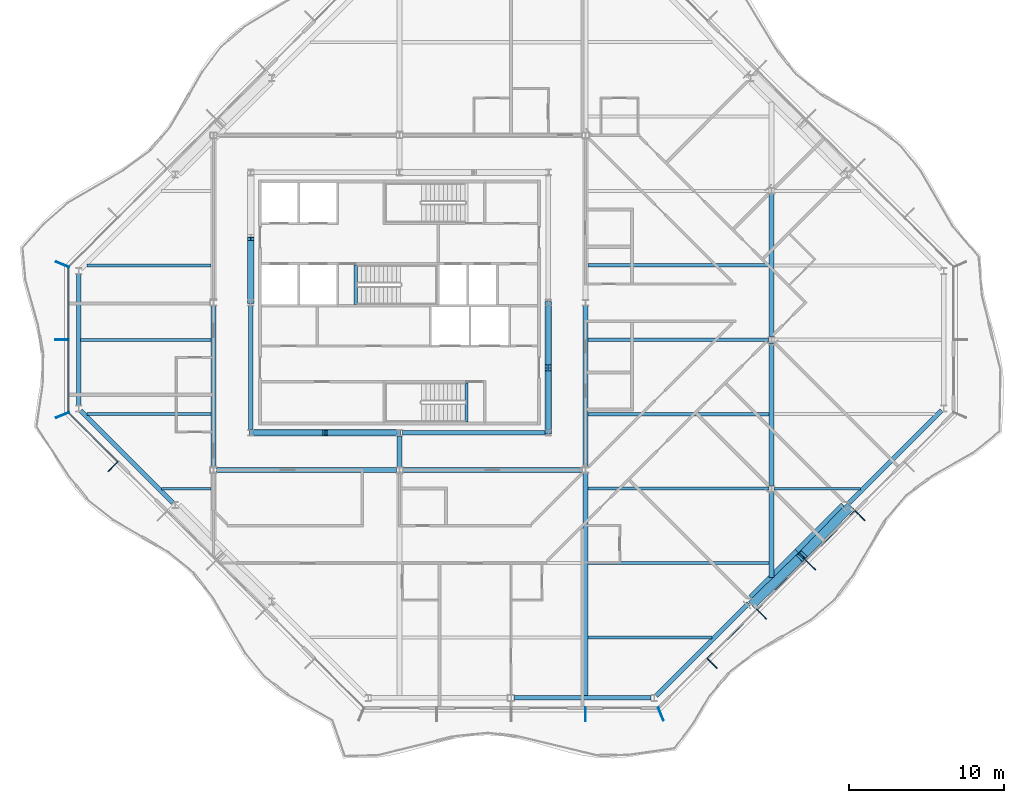
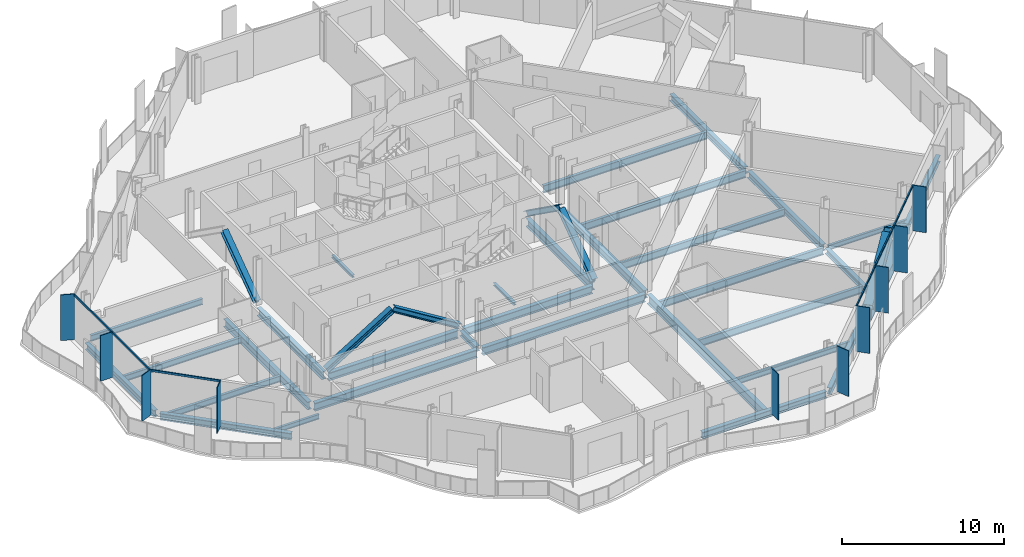
# One storey, part 3 of 17: 33 beams, 23 members, 4 elements without a shape of their own.
"""IFC4 building model written with IfcOpenShell, lengths in metres."""

from ifc_helpers import new_model, si_unit, direction, frame, origin, origin_2d, place, context, subcontext, project, spatial, rectangle, hollow_rectangle, i_section, extrude, material, material_profile, profile_set, type_object, element, aggregate, save


model = new_model("IFC4")

# Units and contexts
model_context = context("Model", 3, precision=1e-05, world=origin(), true_north=direction((0.0, 1.0)))
body_context = subcontext(model_context, "Body", "Model", "MODEL_VIEW")
ifc_project = project(units=[si_unit("LENGTHUNIT", "METRE"), si_unit("AREAUNIT", "SQUARE_METRE"), si_unit("VOLUMEUNIT", "CUBIC_METRE"), si_unit("PLANEANGLEUNIT", "RADIAN"), si_unit("MASSUNIT", "GRAM", prefix="KILO")], contexts=[model_context])

# Site, building, storey
site_placement = place(None, origin())
site = spatial("IfcSite", under=ifc_project, at=site_placement, CompositionType="ELEMENT")
building_placement = place(site_placement, origin())
building = spatial("IfcBuilding", under=site, at=building_placement, Name="Cairn Pilgrim Tower", CompositionType="ELEMENT")
storey_placement = place(building_placement, frame((0.0, 0.0, 228.60009765625)))
storey = spatial("IfcBuildingStorey", under=building, at=storey_placement, Name="L58", CompositionType="ELEMENT", Elevation=228.60009765625)

# Members
ifc_material_1 = material(Name="Structural steel S460M", Category="steel")
ifc_material_profile_1 = material_profile(ifc_material_1, hollow_rectangle(XDim=0.60009765625, YDim=0.60009765625, WallThickness=0.034912109375, at=origin_2d()), Name="BOX 600x600x35")
ifc_profile_set_1 = profile_set([ifc_material_profile_1], Name="Structural steel S460M")
member_type_1 = type_object("IfcMemberType", Name="BOX 600x600x35 BRACE", PredefinedType="BRACE", material=ifc_profile_set_1)
for number, where, z_axis, x_axis, name in (
    (1, (30.02392578125, -17.00146484375, 0.14990234375), (0.609993709431, 0.59476326853, 0.523607036681), (-0.698111810848, 0.715988756584, 0.0), "XB-SE2-SE3-1"),
    (2, (36.201416015625, -10.823974609375, 0.14990234375), (-0.59476326853, -0.609993709431, 0.523607036681), (0.715988756584, -0.698111810848, 0.0), "XB-SE2-SE3-2"),
):
    element("IfcMember", number, at=place(storey_placement, frame(where, z_axis=z_axis, x_axis=x_axis)), inside=storey, type_object=member_type_1, Name=name, PredefinedType="BRACE", context=body_context, shape_type="SweptSolid", body=[
        extrude(hollow_rectangle(XDim=0.60009765625, YDim=0.60009765625, WallThickness=0.034912109375, at=origin_2d()), origin(), (0.0, 0.0, 1.0), 5.033447265625),
    ])

# Beams
ifc_material_2 = material(Name="Structural steel S355J2", Category="steel")
ifc_material_profile_2 = material_profile(ifc_material_2, hollow_rectangle(XDim=0.699951171875, YDim=0.800048828125, WallThickness=0.0400390625, at=origin_2d()), Name="BOX 700x800x40")
ifc_profile_set_2 = profile_set([ifc_material_profile_2], Name="Structural steel S355J2")
beam_type_1 = type_object("IfcBeamType", Name="BOX 700x800x40 RING GIRDER", PredefinedType="SPANDREL", material=ifc_profile_set_2)
beam_1_placement = place(storey_placement, frame((29.98388671875, -16.743408203125, -0.550048828125), z_axis=(0.707106781187, 0.707106781187, 0.0), x_axis=(-0.707106781187, 0.707106781187, 0.0)))
element("IfcBeam", 3, at=beam_1_placement, inside=storey, type_object=beam_type_1, Name="RG3-SE2-SE3-1", PredefinedType="SPANDREL", context=body_context, shape_type="SweptSolid", body=[
    extrude(hollow_rectangle(XDim=0.699951171875, YDim=0.800048828125, WallThickness=0.0400390625, at=origin_2d()), origin(), (0.0, 0.0, 1.0), 4.2138671875),
])
beam_2_placement = place(storey_placement, frame((32.963623046875, -13.763671875, -0.550048828125), z_axis=(0.707077813866, 0.707135747321, 0.0), x_axis=(-0.707135747321, 0.707077813866, 0.0)))
element("IfcBeam", 4, at=beam_2_placement, inside=storey, type_object=beam_type_1, Name="RG3-SE2-SE3-2", PredefinedType="SPANDREL", context=body_context, shape_type="SweptSolid", body=[
    extrude(hollow_rectangle(XDim=0.699951171875, YDim=0.800048828125, WallThickness=0.0400390625, at=origin_2d()), origin(), (0.0, 0.0, 1.0), 4.214111328125),
])

# Curtain wall, member
ifc_material_3 = material(Name="Aluminium alloy 6063-T6 bronze anodised with Bronze tinted laminated low-E glass 8+16+8.8", Category="aluminium")
curtain_wall_type_1 = type_object("IfcCurtainWallType", Name="TOWER STICK CURTAIN WALL NS", PredefinedType="NOTDEFINED", material=ifc_material_3)
curtain_wall_1_placement = place(storey_placement, origin())
curtain_wall_1 = element("IfcCurtainWall", 5, at=curtain_wall_1_placement, inside=storey, type_object=curtain_wall_type_1, Name="Tower Stick Curtain Wall Ns S", PredefinedType="NOTDEFINED")
ifc_material_4 = material(Name="Aluminium alloy 6063-T6 bronze anodised", Category="aluminium")
ifc_material_profile_3 = material_profile(ifc_material_4, rectangle(XDim=0.89990234375, YDim=0.06005859375, at=origin_2d()), Name="FIN MULLION 60x900 BRONZE")
ifc_profile_set_3 = profile_set([ifc_material_profile_3], Name="Aluminium alloy 6063-T6 bronze anodised")
member_type_2 = type_object("IfcMemberType", Name="FIN MULLION 60x900 BRONZE", PredefinedType="MULLION", material=ifc_profile_set_3)
member_1_placement = place(storey_placement, frame((19.199951171875, -24.169921875, 0.0), z_axis=(0.0, 0.0, 1.0), x_axis=(0.0, -1.0, 0.0)))
member_1 = element("IfcMember", 6, at=member_1_placement, type_object=member_type_2, Name="Fin mullion S4", PredefinedType="MULLION", context=body_context, shape_type="SweptSolid", body=[
    extrude(rectangle(XDim=0.89990234375, YDim=0.06005859375, at=origin_2d()), origin(), (0.0, 0.0, 1.0), 3.449951171875),
])
aggregate(curtain_wall_1, [member_1])

# Curtain wall, members
curtain_wall_type_2 = type_object("IfcCurtainWallType", Name="CHAMFER CORNER CURTAIN WALL", PredefinedType="NOTDEFINED", material=ifc_material_3)
curtain_wall_2_placement = place(storey_placement, origin())
curtain_wall_2 = element("IfcCurtainWall", 7, at=curtain_wall_2_placement, inside=storey, type_object=curtain_wall_type_2, Name="Chamfer Corner Curtain Wall SE", PredefinedType="NOTDEFINED")
member_2_placement = place(storey_placement, frame((24.05712890625, -24.137939453125, 0.0), z_axis=(0.0, 0.0, 1.0), x_axis=(0.382683432365, -0.923879532511, 0.0)))
member_2 = element("IfcMember", 8, at=member_2_placement, type_object=member_type_2, Name="Fin mullion SE1", PredefinedType="MULLION", context=body_context, shape_type="SweptSolid", body=[
    extrude(rectangle(XDim=0.89990234375, YDim=0.06005859375, at=origin_2d()), origin(), (0.0, 0.0, 1.0), 3.449951171875),
])
member_3_placement = place(storey_placement, frame((27.369140625, -20.871337890625, 0.0), z_axis=(0.0, 0.0, 1.0), x_axis=(0.707106781187, -0.707106781187, 0.0)))
member_3 = element("IfcMember", 9, at=member_3_placement, type_object=member_type_2, Name="Fin mullion SE2", PredefinedType="MULLION", context=body_context, shape_type="SweptSolid", body=[
    extrude(rectangle(XDim=0.89990234375, YDim=0.06005859375, at=origin_2d()), origin(), (0.0, 0.0, 1.0), 3.449951171875),
])
member_4_placement = place(storey_placement, frame((30.544677734375, -17.69580078125, 0.0), z_axis=(0.0, 0.0, 1.0), x_axis=(0.707106781187, -0.707106781187, 0.0)))
member_4 = element("IfcMember", 10, at=member_4_placement, type_object=member_type_2, Name="Fin mullion SE3", PredefinedType="MULLION", context=body_context, shape_type="SweptSolid", body=[
    extrude(rectangle(XDim=0.89990234375, YDim=0.06005859375, at=origin_2d()), origin(), (0.0, 0.0, 1.0), 3.449951171875),
])
member_5_placement = place(storey_placement, frame((33.72021484375, -14.520263671875, 0.0), z_axis=(0.0, 0.0, 1.0), x_axis=(0.707106781187, -0.707106781187, 0.0)))
member_5 = element("IfcMember", 11, at=member_5_placement, type_object=member_type_2, Name="Fin mullion SE4", PredefinedType="MULLION", context=body_context, shape_type="SweptSolid", body=[
    extrude(rectangle(XDim=0.89990234375, YDim=0.06005859375, at=origin_2d()), origin(), (0.0, 0.0, 1.0), 3.449951171875),
])
member_6_placement = place(storey_placement, frame((36.895751953125, -11.3447265625, 0.0), z_axis=(0.0, 0.0, 1.0), x_axis=(0.707106781187, -0.707106781187, 0.0)))
member_6 = element("IfcMember", 12, at=member_6_placement, type_object=member_type_2, Name="Fin mullion SE5", PredefinedType="MULLION", context=body_context, shape_type="SweptSolid", body=[
    extrude(rectangle(XDim=0.89990234375, YDim=0.06005859375, at=origin_2d()), origin(), (0.0, 0.0, 1.0), 3.449951171875),
])

curtain_wall_type_3 = type_object("IfcCurtainWallType", Name="TOWER STICK CURTAIN WALL EW", PredefinedType="NOTDEFINED", material=ifc_material_3)
curtain_wall_3_placement = place(storey_placement, origin())
curtain_wall_3 = element("IfcCurtainWall", 13, at=curtain_wall_3_placement, inside=storey, type_object=curtain_wall_type_3, Name="Tower Stick Curtain Wall Ew W", PredefinedType="NOTDEFINED")
member_7_placement = place(storey_placement, frame((-14.5380859375, 4.857177734375, 0.0), z_axis=(0.0, 0.0, 1.0), x_axis=(-0.923879532511, 0.382683432365, 0.0)))
member_7 = element("IfcMember", 14, at=member_7_placement, type_object=member_type_2, Name="Fin mullion W1", PredefinedType="MULLION", context=body_context, shape_type="SweptSolid", body=[
    extrude(rectangle(XDim=0.89990234375, YDim=0.06005859375, at=origin_2d()), origin(), (0.0, 0.0, 1.0), 3.449951171875),
])
member_8_placement = place(storey_placement, frame((-14.570068359375, 0.0, 0.0), z_axis=(0.0, 0.0, 1.0), x_axis=(-1.0, 0.0, 0.0)))
member_8 = element("IfcMember", 15, at=member_8_placement, type_object=member_type_2, Name="Fin mullion W2", PredefinedType="MULLION", context=body_context, shape_type="SweptSolid", body=[
    extrude(rectangle(XDim=0.89990234375, YDim=0.06005859375, at=origin_2d()), origin(), (0.0, 0.0, 1.0), 3.449951171875),
])

curtain_wall_4_placement = place(storey_placement, origin())
curtain_wall_4 = element("IfcCurtainWall", 16, at=curtain_wall_4_placement, inside=storey, type_object=curtain_wall_type_2, Name="Chamfer Corner Curtain Wall SW", PredefinedType="NOTDEFINED")
member_9_placement = place(storey_placement, frame((-14.5380859375, -4.857177734375, 0.0), z_axis=(0.0, 0.0, 1.0), x_axis=(-0.923879532511, -0.382683432365, 0.0)))
member_9 = element("IfcMember", 17, at=member_9_placement, type_object=member_type_2, Name="Fin mullion SW1", PredefinedType="MULLION", context=body_context, shape_type="SweptSolid", body=[
    extrude(rectangle(XDim=0.89990234375, YDim=0.06005859375, at=origin_2d()), origin(), (0.0, 0.0, 1.0), 3.449951171875),
])
member_10_placement = place(storey_placement, frame((-11.271484375, -8.1689453125, 0.0), z_axis=(0.0, 0.0, 1.0), x_axis=(-0.707106781187, -0.707106781187, 0.0)))
member_10 = element("IfcMember", 18, at=member_10_placement, type_object=member_type_2, Name="Fin mullion SW2", PredefinedType="MULLION", context=body_context, shape_type="SweptSolid", body=[
    extrude(rectangle(XDim=0.89990234375, YDim=0.06005859375, at=origin_2d()), origin(), (0.0, 0.0, 1.0), 3.449951171875),
])

# Members
ifc_material_profile_4 = material_profile(ifc_material_2, i_section(OverallWidth=0.39794921875, OverallDepth=0.386962890625, WebThickness=0.02099609375, FlangeThickness=0.033203125, FilletRadius=0.014892578125, at=origin_2d()), Name="HD 400x262")
ifc_profile_set_4 = profile_set([ifc_material_profile_4], Name="Structural steel S355J2")
member_type_3 = type_object("IfcMemberType", Name="HD 400x262 BRACE", PredefinedType="BRACE", material=ifc_profile_set_4)
member_11_placement = place(storey_placement, frame((-2.359619140625, -6.0, 0.099853515625), z_axis=(0.851160677397, 0.0, 0.524905230736), x_axis=(0.0, 1.0, 0.0)))
element("IfcMember", 19, at=member_11_placement, inside=storey, type_object=member_type_3, Name="KB-1A", PredefinedType="BRACE", context=body_context, shape_type="SweptSolid", body=[
    extrude(i_section(OverallWidth=0.39794921875, OverallDepth=0.386962890625, WebThickness=0.02099609375, FlangeThickness=0.033203125, FilletRadius=0.014892578125, at=origin_2d()), origin(), (0.0, 0.0, 1.0), 5.529296875),
])
member_12_placement = place(storey_placement, frame((7.15966796875, -6.0, 0.099853515625), z_axis=(-0.851172842321, 0.0, 0.524885504177), x_axis=(0.0, -1.0, 0.0)))
element("IfcMember", 20, at=member_12_placement, inside=storey, type_object=member_type_3, Name="KB-1B", PredefinedType="BRACE", context=body_context, shape_type="SweptSolid", body=[
    extrude(i_section(OverallWidth=0.39794921875, OverallDepth=0.386962890625, WebThickness=0.02099609375, FlangeThickness=0.033203125, FilletRadius=0.014892578125, at=origin_2d()), origin(), (0.0, 0.0, 1.0), 5.529541015625),
])
member_13_placement = place(storey_placement, frame((16.800048828125, -5.959716796875, 0.099853515625), z_axis=(0.0, 0.814429122825, 0.580263047155), x_axis=(-1.0, 0.0, 0.0)))
element("IfcMember", 21, at=member_13_placement, inside=storey, type_object=member_type_3, Name="KB-2A", PredefinedType="BRACE", context=body_context, shape_type="SweptSolid", body=[
    extrude(i_section(OverallWidth=0.39794921875, OverallDepth=0.386962890625, WebThickness=0.02099609375, FlangeThickness=0.033203125, FilletRadius=0.014892578125, at=origin_2d()), origin(), (0.0, 0.0, 1.0), 4.999267578125),
])
for number, where, z_axis, x_axis, name in (
    (22, (16.800048828125, 2.359619140625, 0.099853515625), (0.0, -0.814412678688, 0.580286126659), (1.0, 0.0, 0.0), "KB-2B"),
    (23, (-2.39990234375, 2.4404296875, 0.099853515625), (0.0, 0.814412678688, 0.580286126659), (-1.0, 0.0, 0.0), "KB-4B"),
):
    element("IfcMember", number, at=place(storey_placement, frame(where, z_axis=z_axis, x_axis=x_axis)), inside=storey, type_object=member_type_3, Name=name, PredefinedType="BRACE", context=body_context, shape_type="SweptSolid", body=[
        extrude(i_section(OverallWidth=0.39794921875, OverallDepth=0.386962890625, WebThickness=0.02099609375, FlangeThickness=0.033203125, FilletRadius=0.014892578125, at=origin_2d()), origin(), (0.0, 0.0, 1.0), 4.9990234375),
    ])

# Beams
ifc_material_profile_5 = material_profile(ifc_material_2, i_section(OverallWidth=0.300048828125, OverallDepth=0.39990234375, WebThickness=0.013427734375, FlangeThickness=0.02392578125, FilletRadius=0.027099609375, at=origin_2d()), Name="HEB 400")
ifc_profile_set_5 = profile_set([ifc_material_profile_5], Name="Structural steel S355J2")
beam_type_2 = type_object("IfcBeamType", Name="HEB 400 GIRDER", PredefinedType="BEAM", material=ifc_profile_set_5)
beam_3_placement = place(storey_placement, frame((7.199951171875, -8.200439453125, -0.35009765625), z_axis=(0.0, 1.0, 0.0), x_axis=(-1.0, 0.0, 0.0)))
element("IfcBeam", 24, at=beam_3_placement, inside=storey, type_object=beam_type_2, Name="PG3-E1", PredefinedType="BEAM", context=body_context, shape_type="SweptSolid", body=[
    extrude(i_section(OverallWidth=0.300048828125, OverallDepth=0.39990234375, WebThickness=0.013427734375, FlangeThickness=0.02392578125, FilletRadius=0.027099609375, at=origin_2d()), origin(), (0.0, 0.0, 1.0), 1.99853515625),
])
beam_4_placement = place(storey_placement, frame((31.199951171875, -15.34521484375, -0.35009765625), z_axis=(0.0, 1.0, 0.0), x_axis=(-1.0, 0.0, 0.0)))
element("IfcBeam", 25, at=beam_4_placement, inside=storey, type_object=beam_type_2, Name="PG5-1", PredefinedType="BEAM", context=body_context, shape_type="SweptSolid", body=[
    extrude(i_section(OverallWidth=0.300048828125, OverallDepth=0.39990234375, WebThickness=0.013427734375, FlangeThickness=0.02392578125, FilletRadius=0.027099609375, at=origin_2d()), origin(), (0.0, 0.0, 1.0), 5.545654296875),
])
ifc_material_profile_6 = material_profile(ifc_material_2, i_section(OverallWidth=0.300048828125, OverallDepth=0.5, WebThickness=0.014404296875, FlangeThickness=0.028076171875, FilletRadius=0.027099609375, at=origin_2d()), Name="HEB 500")
ifc_profile_set_6 = profile_set([ifc_material_profile_6], Name="Structural steel S355J2")
beam_type_3 = type_object("IfcBeamType", Name="HEB 500 GIRDER", PredefinedType="BEAM", material=ifc_profile_set_6)
for number, where, z_axis, x_axis, name in (
    (26, (31.199951171875, -9.400390625, -0.400146484375), (0.0, 1.0, 0.0), (-1.0, 0.0, 0.0), "PG5-2"),
    (27, (31.199951171875, 0.199462890625, -0.400146484375), (0.0, 1.0, 0.0), (-1.0, 0.0, 0.0), "PG5-3"),
):
    element("IfcBeam", number, at=place(storey_placement, frame(where, z_axis=z_axis, x_axis=x_axis)), inside=storey, type_object=beam_type_3, Name=name, PredefinedType="BEAM", context=body_context, shape_type="SweptSolid", body=[
        extrude(i_section(OverallWidth=0.300048828125, OverallDepth=0.5, WebThickness=0.014404296875, FlangeThickness=0.028076171875, FilletRadius=0.027099609375, at=origin_2d()), origin(), (0.0, 0.0, 1.0), 9.200927734375),
    ])
ifc_material_profile_7 = material_profile(ifc_material_2, i_section(OverallWidth=0.300048828125, OverallDepth=0.5, WebThickness=0.014404296875, FlangeThickness=0.028076171875, FilletRadius=0.027099609375, at=origin_2d()), Name="HEB 500")
ifc_profile_set_7 = profile_set([ifc_material_profile_7], Name="Structural steel S355J2")
beam_type_4 = type_object("IfcBeamType", Name="HEB 500 RING GIRDER", PredefinedType="SPANDREL", material=ifc_profile_set_7)
beam_5_placement = place(storey_placement, frame((14.587158203125, -23.10009765625, -0.400146484375), z_axis=(1.0, 0.0, 0.0), x_axis=(0.0, 1.0, 0.0)))
element("IfcBeam", 28, at=beam_5_placement, inside=storey, type_object=beam_type_4, Name="RG3-S2-SE1", PredefinedType="SPANDREL", context=body_context, shape_type="SweptSolid", body=[
    extrude(i_section(OverallWidth=0.300048828125, OverallDepth=0.5, WebThickness=0.014404296875, FlangeThickness=0.028076171875, FilletRadius=0.027099609375, at=origin_2d()), origin(), (0.0, 0.0, 1.0), 8.852783203125),
])
for number, where, z_axis, x_axis, name in (
    (29, (23.759521484375, -22.967529296875, -0.400146484375), (0.707106781187, 0.707106781187, 0.0), (-0.707106781187, 0.707106781187, 0.0), "RG3-SE1-SE2"),
    (30, (36.2080078125, -10.51904296875, -0.400146484375), (0.707106781187, 0.707106781187, 0.0), (-0.707106781187, 0.707106781187, 0.0), "RG3-SE3-E1"),
):
    element("IfcBeam", number, at=place(storey_placement, frame(where, z_axis=z_axis, x_axis=x_axis)), inside=storey, type_object=beam_type_4, Name=name, PredefinedType="SPANDREL", context=body_context, shape_type="SweptSolid", body=[
        extrude(i_section(OverallWidth=0.300048828125, OverallDepth=0.5, WebThickness=0.014404296875, FlangeThickness=0.028076171875, FilletRadius=0.027099609375, at=origin_2d()), origin(), (0.0, 0.0, 1.0), 8.427978515625),
    ])
beam_6_placement = place(storey_placement, frame((-13.5, 4.239990234375, -0.400146484375), z_axis=(0.0, -1.0, 0.0), x_axis=(1.0, 0.0, 0.0)))
element("IfcBeam", 31, at=beam_6_placement, inside=storey, type_object=beam_type_4, Name="RG3-W1-SW1", PredefinedType="SPANDREL", context=body_context, shape_type="SweptSolid", body=[
    extrude(i_section(OverallWidth=0.300048828125, OverallDepth=0.5, WebThickness=0.014404296875, FlangeThickness=0.028076171875, FilletRadius=0.027099609375, at=origin_2d()), origin(), (0.0, 0.0, 1.0), 8.47998046875),
])
beam_7_placement = place(storey_placement, frame((-13.36767578125, -4.5595703125, -0.400146484375), z_axis=(0.707106781187, -0.707106781187, 0.0), x_axis=(0.707106781187, 0.707106781187, 0.0)))
element("IfcBeam", 32, at=beam_7_placement, inside=storey, type_object=beam_type_4, Name="RG3-SW1-SW2", PredefinedType="SPANDREL", context=body_context, shape_type="SweptSolid", body=[
    extrude(i_section(OverallWidth=0.300048828125, OverallDepth=0.5, WebThickness=0.014404296875, FlangeThickness=0.028076171875, FilletRadius=0.027099609375, at=origin_2d()), origin(), (0.0, 0.0, 1.0), 8.427978515625),
])
ifc_material_profile_8 = material_profile(ifc_material_2, i_section(OverallWidth=0.300048828125, OverallDepth=0.60009765625, WebThickness=0.015380859375, FlangeThickness=0.030029296875, FilletRadius=0.027099609375, at=origin_2d()), Name="HEB 600")
ifc_profile_set_8 = profile_set([ifc_material_profile_8], Name="Structural steel S355J2")
beam_type_5 = type_object("IfcBeamType", Name="HEB 600 CORE BEAM", PredefinedType="BEAM", material=ifc_profile_set_8)
beam_8_placement = place(storey_placement, frame((-2.21826171875, -6.0, -0.4501953125), z_axis=(1.0, 0.0, 0.0), x_axis=(0.0, 1.0, 0.0)))
element("IfcBeam", 33, at=beam_8_placement, inside=storey, type_object=beam_type_5, Name="CB-1", PredefinedType="BEAM", context=body_context, shape_type="SweptSolid", body=[
    extrude(i_section(OverallWidth=0.300048828125, OverallDepth=0.60009765625, WebThickness=0.015380859375, FlangeThickness=0.030029296875, FilletRadius=0.027099609375, at=origin_2d()), origin(), (0.0, 0.0, 1.0), 9.236572265625),
])
beam_9_placement = place(storey_placement, frame((7.3818359375, -6.0, -0.4501953125), z_axis=(1.0, 0.0, 0.0), x_axis=(0.0, 1.0, 0.0)))
element("IfcBeam", 34, at=beam_9_placement, inside=storey, type_object=beam_type_5, Name="CB-2", PredefinedType="BEAM", context=body_context, shape_type="SweptSolid", body=[
    extrude(i_section(OverallWidth=0.300048828125, OverallDepth=0.60009765625, WebThickness=0.015380859375, FlangeThickness=0.030029296875, FilletRadius=0.027099609375, at=origin_2d()), origin(), (0.0, 0.0, 1.0), 9.236328125),
])
for number, where, z_axis, x_axis, name in (
    (35, (16.800048828125, -5.818115234375, -0.4501953125), (0.0, 1.0, 0.0), (-1.0, 0.0, 0.0), "CB-3"),
    (36, (-2.39990234375, 2.21826171875, -0.4501953125), (0.0, -1.0, 0.0), (1.0, 0.0, 0.0), "CB-8"),
):
    element("IfcBeam", number, at=place(storey_placement, frame(where, z_axis=z_axis, x_axis=x_axis)), inside=storey, type_object=beam_type_5, Name=name, PredefinedType="BEAM", context=body_context, shape_type="SweptSolid", body=[
        extrude(i_section(OverallWidth=0.300048828125, OverallDepth=0.60009765625, WebThickness=0.015380859375, FlangeThickness=0.030029296875, FilletRadius=0.027099609375, at=origin_2d()), origin(), (0.0, 0.0, 1.0), 8.036376953125),
    ])
ifc_material_profile_9 = material_profile(ifc_material_2, i_section(OverallWidth=0.300048828125, OverallDepth=0.60009765625, WebThickness=0.015380859375, FlangeThickness=0.030029296875, FilletRadius=0.027099609375, at=origin_2d()), Name="HEB 600")
ifc_profile_set_9 = profile_set([ifc_material_profile_9], Name="Structural steel S355J2")
beam_type_6 = type_object("IfcBeamType", Name="HEB 600 GIRDER", PredefinedType="BEAM", material=ifc_profile_set_9)
for number, where, z_axis, x_axis, name in (
    (37, (-4.800048828125, -8.200439453125, -0.4501953125), (0.0, 1.0, 0.0), (-1.0, 0.0, 0.0), "PG2-2"),
    (38, (19.199951171875, -8.200439453125, -0.4501953125), (0.0, 1.0, 0.0), (-1.0, 0.0, 0.0), "PG4-2"),
):
    element("IfcBeam", number, at=place(storey_placement, frame(where, z_axis=z_axis, x_axis=x_axis)), inside=storey, type_object=beam_type_6, Name=name, PredefinedType="BEAM", context=body_context, shape_type="SweptSolid", body=[
        extrude(i_section(OverallWidth=0.300048828125, OverallDepth=0.60009765625, WebThickness=0.015380859375, FlangeThickness=0.030029296875, FilletRadius=0.027099609375, at=origin_2d()), origin(), (0.0, 0.0, 1.0), 10.40087890625),
    ])
ifc_material_profile_10 = material_profile(ifc_material_2, i_section(OverallWidth=0.300048828125, OverallDepth=0.60009765625, WebThickness=0.015380859375, FlangeThickness=0.030029296875, FilletRadius=0.027099609375, at=origin_2d()), Name="HEB 600")
ifc_profile_set_10 = profile_set([ifc_material_profile_10], Name="Structural steel S355J2")
beam_type_7 = type_object("IfcBeamType", Name="HEB 600 INNER GIRDER", PredefinedType="BEAM", material=ifc_profile_set_10)
for number, where, z_axis, x_axis, name in (
    (39, (-4.6005859375, -8.39990234375, -0.4501953125), (1.0, 0.0, 0.0), (0.0, 1.0, 0.0), "IG1-1"),
    (40, (7.3994140625, -8.39990234375, -0.4501953125), (1.0, 0.0, 0.0), (0.0, 1.0, 0.0), "IG1-2"),
):
    element("IfcBeam", number, at=place(storey_placement, frame(where, z_axis=z_axis, x_axis=x_axis)), inside=storey, type_object=beam_type_7, Name=name, PredefinedType="BEAM", context=body_context, shape_type="SweptSolid", body=[
        extrude(i_section(OverallWidth=0.300048828125, OverallDepth=0.60009765625, WebThickness=0.015380859375, FlangeThickness=0.030029296875, FilletRadius=0.027099609375, at=origin_2d()), origin(), (0.0, 0.0, 1.0), 11.60107421875),
    ])
ifc_material_profile_11 = material_profile(ifc_material_2, i_section(OverallWidth=0.300048828125, OverallDepth=0.699951171875, WebThickness=0.01708984375, FlangeThickness=0.031982421875, FilletRadius=0.027099609375, at=origin_2d()), Name="HEB 700")
ifc_profile_set_11 = profile_set([ifc_material_profile_11], Name="Structural steel S355J2")
beam_type_8 = type_object("IfcBeamType", Name="HEB 700 GIRDER", PredefinedType="BEAM", material=ifc_profile_set_11)
beam_10_placement = place(storey_placement, frame((19.199951171875, -22.97998046875, -0.5), z_axis=(0.0, 1.0, 0.0), x_axis=(-1.0, 0.0, 0.0)))
element("IfcBeam", 41, at=beam_10_placement, inside=storey, type_object=beam_type_8, Name="PG4-1", PredefinedType="BEAM", context=body_context, shape_type="SweptSolid", body=[
    extrude(i_section(OverallWidth=0.300048828125, OverallDepth=0.699951171875, WebThickness=0.01708984375, FlangeThickness=0.031982421875, FilletRadius=0.027099609375, at=origin_2d()), origin(), (0.0, 0.0, 1.0), 14.38037109375),
])
ifc_material_profile_12 = material_profile(ifc_material_2, i_section(OverallWidth=0.169921875, OverallDepth=0.360107421875, WebThickness=0.008056640625, FlangeThickness=0.0126953125, FilletRadius=0.01806640625, at=origin_2d()), Name="IPE 360")
ifc_profile_set_12 = profile_set([ifc_material_profile_12], Name="Structural steel S355J2")
beam_type_9 = type_object("IfcBeamType", Name="IPE 360 SECONDARY BEAM", PredefinedType="JOIST", material=ifc_profile_set_12)
beam_11_placement = place(storey_placement, frame((-8.14501953125, -9.60009765625, -0.330078125), z_axis=(1.0, 0.0, 0.0), x_axis=(0.0, 1.0, 0.0)))
element("IfcBeam", 42, at=beam_11_placement, inside=storey, type_object=beam_type_9, Name="SB3-1", PredefinedType="JOIST", context=body_context, shape_type="SweptSolid", body=[
    extrude(i_section(OverallWidth=0.169921875, OverallDepth=0.360107421875, WebThickness=0.008056640625, FlangeThickness=0.0126953125, FilletRadius=0.01806640625, at=origin_2d()), origin(), (0.0, 0.0, 1.0), 3.195068359375),
])
beam_12_placement = place(storey_placement, frame((31.35009765625, -9.60009765625, -0.330078125), z_axis=(1.0, 0.0, 0.0), x_axis=(0.0, 1.0, 0.0)))
element("IfcBeam", 43, at=beam_12_placement, inside=storey, type_object=beam_type_9, Name="SB3-3", PredefinedType="JOIST", context=body_context, shape_type="SweptSolid", body=[
    extrude(i_section(OverallWidth=0.169921875, OverallDepth=0.360107421875, WebThickness=0.008056640625, FlangeThickness=0.0126953125, FilletRadius=0.01806640625, at=origin_2d()), origin(), (0.0, 0.0, 1.0), 5.594970703125),
])
ifc_material_profile_13 = material_profile(ifc_material_2, i_section(OverallWidth=0.18994140625, OverallDepth=0.449951171875, WebThickness=0.009521484375, FlangeThickness=0.0146484375, FilletRadius=0.02099609375, at=origin_2d()), Name="IPE 450")
ifc_profile_set_13 = profile_set([ifc_material_profile_13], Name="Structural steel S355J2")
beam_type_10 = type_object("IfcBeamType", Name="IPE 450 SECONDARY BEAM", PredefinedType="JOIST", material=ifc_profile_set_13)
for number, where, z_axis, x_axis, name in (
    (44, (19.35009765625, -19.199951171875, -0.375), (1.0, 0.0, 0.0), (0.0, 1.0, 0.0), "SB1-3"),
    (45, (-12.945068359375, -4.800048828125, -0.375), (1.0, 0.0, 0.0), (0.0, 1.0, 0.0), "SB4-1"),
):
    element("IfcBeam", number, at=place(storey_placement, frame(where, z_axis=z_axis, x_axis=x_axis)), inside=storey, type_object=beam_type_10, Name=name, PredefinedType="JOIST", context=body_context, shape_type="SweptSolid", body=[
        extrude(i_section(OverallWidth=0.18994140625, OverallDepth=0.449951171875, WebThickness=0.009521484375, FlangeThickness=0.0146484375, FilletRadius=0.02099609375, at=origin_2d()), origin(), (0.0, 0.0, 1.0), 7.9951171875),
    ])
beam_13_placement = place(storey_placement, frame((-13.3798828125, 0.0, -0.375), z_axis=(1.0, 0.0, 0.0), x_axis=(0.0, 1.0, 0.0)))
element("IfcBeam", 46, at=beam_13_placement, inside=storey, type_object=beam_type_10, Name="SB5-1", PredefinedType="JOIST", context=body_context, shape_type="SweptSolid", body=[
    extrude(i_section(OverallWidth=0.18994140625, OverallDepth=0.449951171875, WebThickness=0.009521484375, FlangeThickness=0.0146484375, FilletRadius=0.02099609375, at=origin_2d()), origin(), (0.0, 0.0, 1.0), 8.429931640625),
])
beam_14_placement = place(storey_placement, frame((-12.945068359375, 4.800048828125, -0.375), z_axis=(1.0, 0.0, 0.0), x_axis=(0.0, 1.0, 0.0)))
element("IfcBeam", 47, at=beam_14_placement, inside=storey, type_object=beam_type_10, Name="SB6-1", PredefinedType="JOIST", context=body_context, shape_type="SweptSolid", body=[
    extrude(i_section(OverallWidth=0.18994140625, OverallDepth=0.449951171875, WebThickness=0.009521484375, FlangeThickness=0.0146484375, FilletRadius=0.02099609375, at=origin_2d()), origin(), (0.0, 0.0, 1.0), 7.9951171875),
])
ifc_material_profile_14 = material_profile(ifc_material_2, i_section(OverallWidth=0.2099609375, OverallDepth=0.550048828125, WebThickness=0.010986328125, FlangeThickness=0.01708984375, FilletRadius=0.02392578125, at=origin_2d()), Name="IPE 550")
ifc_profile_set_14 = profile_set([ifc_material_profile_14], Name="Structural steel S355J2")
beam_type_11 = type_object("IfcBeamType", Name="IPE 550 SECONDARY BEAM", PredefinedType="JOIST", material=ifc_profile_set_14)
for number, where, z_axis, x_axis, name in (
    (48, (19.35009765625, -14.39990234375, -0.425048828125), (1.0, 0.0, 0.0), (0.0, 1.0, 0.0), "SB2-3"),
    (49, (19.35009765625, -9.60009765625, -0.425048828125), (1.0, 0.0, 0.0), (0.0, 1.0, 0.0), "SB3-2"),
    (50, (19.35009765625, -4.800048828125, -0.425048828125), (1.0, 0.0, 0.0), (0.0, 1.0, 0.0), "SB4-2"),
    (51, (19.35009765625, 0.0, -0.425048828125), (1.0, 0.0, 0.0), (0.0, 1.0, 0.0), "SB5-2"),
    (52, (19.35009765625, 4.800048828125, -0.425048828125), (1.0, 0.0, 0.0), (0.0, 1.0, 0.0), "SB6-2"),
):
    element("IfcBeam", number, at=place(storey_placement, frame(where, z_axis=z_axis, x_axis=x_axis)), inside=storey, type_object=beam_type_11, Name=name, PredefinedType="JOIST", context=body_context, shape_type="SweptSolid", body=[
        extrude(i_section(OverallWidth=0.2099609375, OverallDepth=0.550048828125, WebThickness=0.010986328125, FlangeThickness=0.01708984375, FilletRadius=0.02392578125, at=origin_2d()), origin(), (0.0, 0.0, 1.0), 11.699951171875),
    ])
ifc_material_profile_15 = material_profile(ifc_material_2, i_section(OverallWidth=0.199951171875, OverallDepth=0.199951171875, WebThickness=0.009033203125, FlangeThickness=0.014892578125, FilletRadius=0.01806640625, at=origin_2d()), Name="HE 200 B")
ifc_profile_set_15 = profile_set([ifc_material_profile_15], Name="Structural steel S355J2")
beam_type_12 = type_object("IfcBeamType", Name="STAIR LANDING BEAM HE 200 B", PredefinedType="BEAM", material=ifc_profile_set_15)
beam_15_placement = place(storey_placement, frame((11.5244140625, -2.77490234375, -0.25), z_axis=(0.0, -1.0, 0.0), x_axis=(1.0, 0.0, 0.0)))
element("IfcBeam", 53, at=beam_15_placement, inside=storey, type_object=beam_type_12, Name="STAIR LANDING BEAM LD-HE200B", PredefinedType="BEAM", context=body_context, shape_type="SweptSolid", body=[
    extrude(i_section(OverallWidth=0.199951171875, OverallDepth=0.199951171875, WebThickness=0.009033203125, FlangeThickness=0.014892578125, FilletRadius=0.01806640625, at=origin_2d()), origin(), (0.0, 0.0, 1.0), 2.525146484375),
])
beam_16_placement = place(storey_placement, frame((4.37548828125, 2.27490234375, -0.25), z_axis=(0.0, 1.0, 0.0), x_axis=(-1.0, 0.0, 0.0)))
element("IfcBeam", 54, at=beam_16_placement, inside=storey, type_object=beam_type_12, Name="STAIR LANDING BEAM LD-HE200B", PredefinedType="BEAM", context=body_context, shape_type="SweptSolid", body=[
    extrude(i_section(OverallWidth=0.199951171875, OverallDepth=0.199951171875, WebThickness=0.009033203125, FlangeThickness=0.014892578125, FilletRadius=0.01806640625, at=origin_2d()), origin(), (0.0, 0.0, 1.0), 2.550048828125),
])

# Member
ifc_material_profile_16 = material_profile(ifc_material_4, rectangle(XDim=0.080078125, YDim=0.14990234375, at=origin_2d()), Name="TRANSOM 80x150 BRONZE")
ifc_profile_set_16 = profile_set([ifc_material_profile_16], Name="Aluminium alloy 6063-T6 bronze anodised")
member_type_4 = type_object("IfcMemberType", Name="TRANSOM 80x150 BRONZE", PredefinedType="USERDEFINED", material=ifc_profile_set_16)
member_14_placement = place(storey_placement, frame((27.09326171875, -20.55322265625, 3.375), z_axis=(0.707079231393, 0.707134329907, 0.0), x_axis=(-0.707134329907, 0.707079231393, 0.0)))
member_14 = element("IfcMember", 55, at=member_14_placement, type_object=member_type_4, Name="Transom SE2", ObjectType="TRANSOM", PredefinedType="USERDEFINED", context=body_context, shape_type="SweptSolid", body=[
    extrude(rectangle(XDim=0.080078125, YDim=0.14990234375, at=origin_2d()), origin(), (0.0, 0.0, 1.0), 4.430908203125),
])

member_15_placement = place(storey_placement, frame((30.268798828125, -17.377685546875, 3.375), z_axis=(0.707106781187, 0.707106781187, 0.0), x_axis=(-0.707106781187, 0.707106781187, 0.0)))
member_15 = element("IfcMember", 56, at=member_15_placement, type_object=member_type_4, Name="Transom SE3", ObjectType="TRANSOM", PredefinedType="USERDEFINED", context=body_context, shape_type="SweptSolid", body=[
    extrude(rectangle(XDim=0.080078125, YDim=0.14990234375, at=origin_2d()), origin(), (0.0, 0.0, 1.0), 4.43115234375),
])

member_16_placement = place(storey_placement, frame((33.4443359375, -14.201904296875, 3.375), z_axis=(0.707134329907, 0.707079231393, 0.0), x_axis=(-0.707079231393, 0.707134329907, 0.0)))
member_16 = element("IfcMember", 57, at=member_16_placement, type_object=member_type_4, Name="Transom SE4", ObjectType="TRANSOM", PredefinedType="USERDEFINED", context=body_context, shape_type="SweptSolid", body=[
    extrude(rectangle(XDim=0.080078125, YDim=0.14990234375, at=origin_2d()), origin(), (0.0, 0.0, 1.0), 4.430908203125),
])

aggregate(curtain_wall_2, [member_2, member_3, member_4, member_5, member_6, member_14, member_15, member_16])

member_17_placement = place(storey_placement, frame((-14.14990234375, 4.656494140625, 3.375), z_axis=(0.0, -1.0, 0.0), x_axis=(1.0, 0.0, 0.0)))
member_17 = element("IfcMember", 58, at=member_17_placement, type_object=member_type_4, Name="Transom W1", ObjectType="TRANSOM", PredefinedType="USERDEFINED", context=body_context, shape_type="SweptSolid", body=[
    extrude(rectangle(XDim=0.080078125, YDim=0.14990234375, at=origin_2d()), origin(), (0.0, 0.0, 1.0), 4.62646484375),
])

member_18_placement = place(storey_placement, frame((-14.14990234375, -0.030029296875, 3.375), z_axis=(0.0, -1.0, 0.0), x_axis=(1.0, 0.0, 0.0)))
member_18 = element("IfcMember", 59, at=member_18_placement, type_object=member_type_4, Name="Transom W2", ObjectType="TRANSOM", PredefinedType="USERDEFINED", context=body_context, shape_type="SweptSolid", body=[
    extrude(rectangle(XDim=0.080078125, YDim=0.14990234375, at=origin_2d()), origin(), (0.0, 0.0, 1.0), 4.62646484375),
])

aggregate(curtain_wall_3, [member_7, member_8, member_17, member_18])

member_19_placement = place(storey_placement, frame((-14.121826171875, -4.724609375, 3.375), z_axis=(0.707106781187, -0.707106781187, 0.0), x_axis=(0.707106781187, 0.707106781187, 0.0)))
member_19 = element("IfcMember", 60, at=member_19_placement, type_object=member_type_4, Name="Transom SW1", ObjectType="TRANSOM", PredefinedType="USERDEFINED", context=body_context, shape_type="SweptSolid", body=[
    extrude(rectangle(XDim=0.080078125, YDim=0.14990234375, at=origin_2d()), origin(), (0.0, 0.0, 1.0), 4.421142578125),
])

aggregate(curtain_wall_4, [member_9, member_10, member_19])

save(model, "model.ifc")
